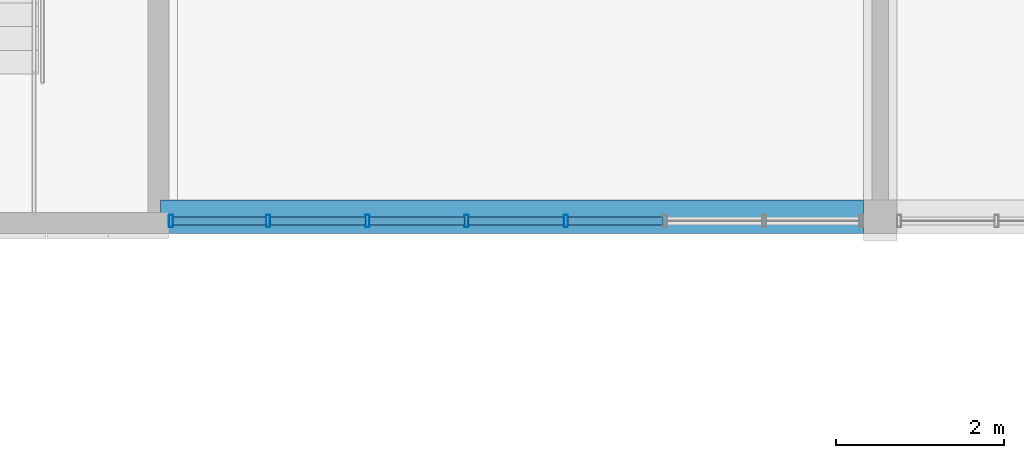
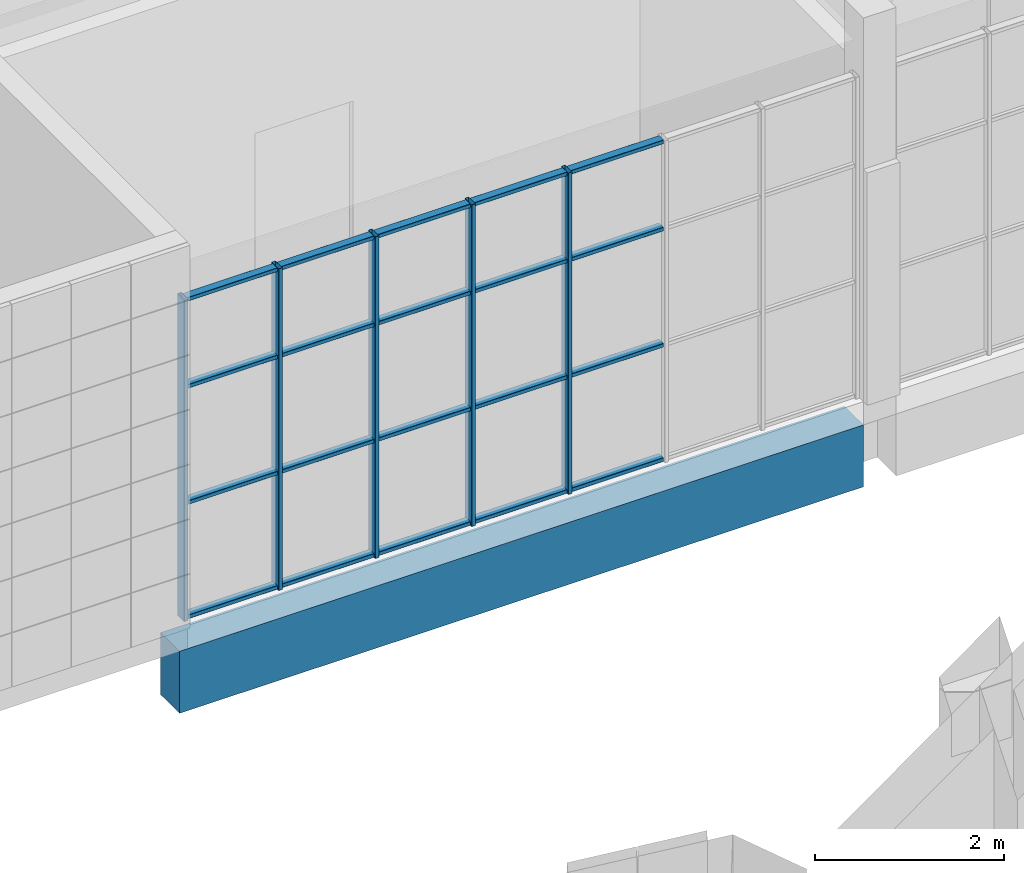
# One storey, part 19 of 125: 25 members, 1 beam, 1 element without a shape of its own.
"""IFC4 building model written with IfcOpenShell, lengths in metres."""

from ifc_helpers import new_model, si_unit, direction, frame, origin, origin_2d, place, context, subcontext, project, spatial, rectangle, hollow_rectangle, extrude, material, material_profile, profile_set, type_object, element, aggregate, save


model = new_model("IFC4")

# Units and contexts
model_context = context("Model", 3, precision=1e-05, world=origin(), true_north=direction((0.0, 1.0)))
body_context = subcontext(model_context, "Body", "Model", "MODEL_VIEW")
ifc_project = project(units=[si_unit("LENGTHUNIT", "METRE"), si_unit("AREAUNIT", "SQUARE_METRE"), si_unit("VOLUMEUNIT", "CUBIC_METRE"), si_unit("PLANEANGLEUNIT", "RADIAN"), si_unit("MASSUNIT", "GRAM", prefix="KILO")], contexts=[model_context])

# Site, building, storey
site_placement = place(None, origin())
site = spatial("IfcSite", under=ifc_project, at=site_placement, CompositionType="ELEMENT")
building_placement = place(site_placement, origin())
building = spatial("IfcBuilding", under=site, at=building_placement, Name="Sun Court Science Centre", CompositionType="ELEMENT")
storey_placement = place(building_placement, frame((0.0, 0.0, 6.0)))
storey = spatial("IfcBuildingStorey", under=building, at=storey_placement, Name="L01", CompositionType="ELEMENT", Elevation=6.0)

# Curtain wall, members
ifc_material_1 = material(Name="Aluminium EN AW-6063 T6", Category="aluminium")
curtain_wall_type = type_object("IfcCurtainWallType", Name="Pavilion curtain wall 1200", PredefinedType="NOTDEFINED", material=ifc_material_1)
curtain_wall_placement = place(storey_placement, origin())
curtain_wall = element("IfcCurtainWall", 1, at=curtain_wall_placement, inside=storey, type_object=curtain_wall_type, Name="Curtain wall V5 S L01 03", PredefinedType="NOTDEFINED")
ifc_material_2 = material(Name="Aluminium EN AW-6063 T6", Category="aluminium")
ifc_material_profile_1 = material_profile(ifc_material_2, hollow_rectangle(XDim=0.050048828125, YDim=0.14990234375, WallThickness=0.00390625, InnerFilletRadius=0.00390625, OuterFilletRadius=0.006103515625, at=origin_2d()), Name="AL 50x150x4")
ifc_profile_set_1 = profile_set([ifc_material_profile_1], Name="Aluminium EN AW-6063 T6")
member_type_1 = type_object("IfcMemberType", Name="Curtain wall mullion AL 50x150", PredefinedType="MULLION", material=ifc_profile_set_1)
member_1_placement = place(storey_placement, frame((42.574951171875, 36.14990234375, 0.0), z_axis=(0.0, 0.0, 1.0), x_axis=(-1.0, 0.0, 0.0)))
member_1 = element("IfcMember", 2, at=member_1_placement, type_object=member_type_1, Name="CW3-07 mullion 8", PredefinedType="MULLION", context=body_context, shape_type="SweptSolid", body=[
    extrude(hollow_rectangle(XDim=0.050048828125, YDim=0.14990234375, WallThickness=0.00390625, InnerFilletRadius=0.00390625, OuterFilletRadius=0.006103515625, at=origin_2d()), origin(), (0.0, 0.0, 1.0), 4.14990234375),
])
member_2_placement = place(storey_placement, frame((43.728515625, 36.14990234375, 0.0), z_axis=(0.0, 0.0, 1.0), x_axis=(-1.0, 0.0, 0.0)))
member_2 = element("IfcMember", 3, at=member_2_placement, type_object=member_type_1, Name="CW3-07 mullion 7", PredefinedType="MULLION", context=body_context, shape_type="SweptSolid", body=[
    extrude(hollow_rectangle(XDim=0.050048828125, YDim=0.14990234375, WallThickness=0.00390625, InnerFilletRadius=0.00390625, OuterFilletRadius=0.006103515625, at=origin_2d()), origin(), (0.0, 0.0, 1.0), 4.14990234375),
])
member_3_placement = place(storey_placement, frame((44.9072265625, 36.14990234375, 0.0), z_axis=(0.0, 0.0, 1.0), x_axis=(-1.0, 0.0, 0.0)))
member_3 = element("IfcMember", 4, at=member_3_placement, type_object=member_type_1, Name="CW3-07 mullion 6", PredefinedType="MULLION", context=body_context, shape_type="SweptSolid", body=[
    extrude(hollow_rectangle(XDim=0.050048828125, YDim=0.14990234375, WallThickness=0.00390625, InnerFilletRadius=0.00390625, OuterFilletRadius=0.006103515625, at=origin_2d()), origin(), (0.0, 0.0, 1.0), 4.14990234375),
])
member_4_placement = place(storey_placement, frame((46.085693359375, 36.14990234375, 0.0), z_axis=(0.0, 0.0, 1.0), x_axis=(-1.0, 0.0, 0.0)))
member_4 = element("IfcMember", 5, at=member_4_placement, type_object=member_type_1, Name="CW3-07 mullion 5", PredefinedType="MULLION", context=body_context, shape_type="SweptSolid", body=[
    extrude(hollow_rectangle(XDim=0.050048828125, YDim=0.14990234375, WallThickness=0.00390625, InnerFilletRadius=0.00390625, OuterFilletRadius=0.006103515625, at=origin_2d()), origin(), (0.0, 0.0, 1.0), 4.14990234375),
])
member_5_placement = place(storey_placement, frame((47.264404296875, 36.14990234375, 0.0), z_axis=(0.0, 0.0, 1.0), x_axis=(-1.0, 0.0, 0.0)))
member_5 = element("IfcMember", 6, at=member_5_placement, type_object=member_type_1, Name="CW3-07 mullion 4", PredefinedType="MULLION", context=body_context, shape_type="SweptSolid", body=[
    extrude(hollow_rectangle(XDim=0.050048828125, YDim=0.14990234375, WallThickness=0.00390625, InnerFilletRadius=0.00390625, OuterFilletRadius=0.006103515625, at=origin_2d()), origin(), (0.0, 0.0, 1.0), 4.14990234375),
])
ifc_material_3 = material(Name="Aluminium EN AW-6063 T6", Category="aluminium")
ifc_material_profile_2 = material_profile(ifc_material_3, hollow_rectangle(XDim=0.050048828125, YDim=0.10009765625, WallThickness=0.00390625, InnerFilletRadius=0.00390625, OuterFilletRadius=0.006103515625, at=origin_2d()), Name="AL 50x100x4")
ifc_profile_set_2 = profile_set([ifc_material_profile_2], Name="Aluminium EN AW-6063 T6")
member_type_2 = type_object("IfcMemberType", Name="Curtain wall transom AL 50x100", PredefinedType="USERDEFINED", material=ifc_profile_set_2)
member_6_placement = place(storey_placement, frame((43.70361328125, 36.14990234375, 0.02490234375), z_axis=(-1.0, 0.0, 0.0), x_axis=(0.0, 0.0, 1.0)))
member_6 = element("IfcMember", 7, at=member_6_placement, type_object=member_type_2, Name="CW3-07 transom 7.1", ObjectType="TRANSOM", PredefinedType="USERDEFINED", context=body_context, shape_type="SweptSolid", body=[
    extrude(hollow_rectangle(XDim=0.050048828125, YDim=0.10009765625, WallThickness=0.00390625, InnerFilletRadius=0.00390625, OuterFilletRadius=0.006103515625, at=origin_2d()), origin(), (0.0, 0.0, 1.0), 1.103515625),
])
member_7_placement = place(storey_placement, frame((44.882080078125, 36.14990234375, 0.02490234375), z_axis=(-1.0, 0.0, 0.0), x_axis=(0.0, 0.0, 1.0)))
member_7 = element("IfcMember", 8, at=member_7_placement, type_object=member_type_2, Name="CW3-07 transom 6.1", ObjectType="TRANSOM", PredefinedType="USERDEFINED", context=body_context, shape_type="SweptSolid", body=[
    extrude(hollow_rectangle(XDim=0.050048828125, YDim=0.10009765625, WallThickness=0.00390625, InnerFilletRadius=0.00390625, OuterFilletRadius=0.006103515625, at=origin_2d()), origin(), (0.0, 0.0, 1.0), 1.12841796875),
])
member_8_placement = place(storey_placement, frame((46.060791015625, 36.14990234375, 0.02490234375), z_axis=(-1.0, 0.0, 0.0), x_axis=(0.0, 0.0, 1.0)))
member_8 = element("IfcMember", 9, at=member_8_placement, type_object=member_type_2, Name="CW3-07 transom 5.1", ObjectType="TRANSOM", PredefinedType="USERDEFINED", context=body_context, shape_type="SweptSolid", body=[
    extrude(hollow_rectangle(XDim=0.050048828125, YDim=0.10009765625, WallThickness=0.00390625, InnerFilletRadius=0.00390625, OuterFilletRadius=0.006103515625, at=origin_2d()), origin(), (0.0, 0.0, 1.0), 1.128662109375),
])
member_9_placement = place(storey_placement, frame((47.2392578125, 36.14990234375, 0.02490234375), z_axis=(-1.0, 0.0, 0.0), x_axis=(0.0, 0.0, 1.0)))
member_9 = element("IfcMember", 10, at=member_9_placement, type_object=member_type_2, Name="CW3-07 transom 4.1", ObjectType="TRANSOM", PredefinedType="USERDEFINED", context=body_context, shape_type="SweptSolid", body=[
    extrude(hollow_rectangle(XDim=0.050048828125, YDim=0.10009765625, WallThickness=0.00390625, InnerFilletRadius=0.00390625, OuterFilletRadius=0.006103515625, at=origin_2d()), origin(), (0.0, 0.0, 1.0), 1.128662109375),
])
member_10_placement = place(storey_placement, frame((48.41796875, 36.14990234375, 0.02490234375), z_axis=(-1.0, 0.0, 0.0), x_axis=(0.0, 0.0, 1.0)))
member_10 = element("IfcMember", 11, at=member_10_placement, type_object=member_type_2, Name="CW3-07 transom 3.1", ObjectType="TRANSOM", PredefinedType="USERDEFINED", context=body_context, shape_type="SweptSolid", body=[
    extrude(hollow_rectangle(XDim=0.050048828125, YDim=0.10009765625, WallThickness=0.00390625, InnerFilletRadius=0.00390625, OuterFilletRadius=0.006103515625, at=origin_2d()), origin(), (0.0, 0.0, 1.0), 1.128662109375),
])
member_11_placement = place(storey_placement, frame((43.70361328125, 36.14990234375, 1.5), z_axis=(-1.0, 0.0, 0.0), x_axis=(0.0, 0.0, 1.0)))
member_11 = element("IfcMember", 12, at=member_11_placement, type_object=member_type_2, Name="CW3-07 transom 7.2", ObjectType="TRANSOM", PredefinedType="USERDEFINED", context=body_context, shape_type="SweptSolid", body=[
    extrude(hollow_rectangle(XDim=0.050048828125, YDim=0.10009765625, WallThickness=0.00390625, InnerFilletRadius=0.00390625, OuterFilletRadius=0.006103515625, at=origin_2d()), origin(), (0.0, 0.0, 1.0), 1.103515625),
])
member_12_placement = place(storey_placement, frame((44.882080078125, 36.14990234375, 1.5), z_axis=(-1.0, 0.0, 0.0), x_axis=(0.0, 0.0, 1.0)))
member_12 = element("IfcMember", 13, at=member_12_placement, type_object=member_type_2, Name="CW3-07 transom 6.2", ObjectType="TRANSOM", PredefinedType="USERDEFINED", context=body_context, shape_type="SweptSolid", body=[
    extrude(hollow_rectangle(XDim=0.050048828125, YDim=0.10009765625, WallThickness=0.00390625, InnerFilletRadius=0.00390625, OuterFilletRadius=0.006103515625, at=origin_2d()), origin(), (0.0, 0.0, 1.0), 1.12841796875),
])
member_13_placement = place(storey_placement, frame((46.060791015625, 36.14990234375, 1.5), z_axis=(-1.0, 0.0, 0.0), x_axis=(0.0, 0.0, 1.0)))
member_13 = element("IfcMember", 14, at=member_13_placement, type_object=member_type_2, Name="CW3-07 transom 5.2", ObjectType="TRANSOM", PredefinedType="USERDEFINED", context=body_context, shape_type="SweptSolid", body=[
    extrude(hollow_rectangle(XDim=0.050048828125, YDim=0.10009765625, WallThickness=0.00390625, InnerFilletRadius=0.00390625, OuterFilletRadius=0.006103515625, at=origin_2d()), origin(), (0.0, 0.0, 1.0), 1.128662109375),
])
member_14_placement = place(storey_placement, frame((47.2392578125, 36.14990234375, 1.5), z_axis=(-1.0, 0.0, 0.0), x_axis=(0.0, 0.0, 1.0)))
member_14 = element("IfcMember", 15, at=member_14_placement, type_object=member_type_2, Name="CW3-07 transom 4.2", ObjectType="TRANSOM", PredefinedType="USERDEFINED", context=body_context, shape_type="SweptSolid", body=[
    extrude(hollow_rectangle(XDim=0.050048828125, YDim=0.10009765625, WallThickness=0.00390625, InnerFilletRadius=0.00390625, OuterFilletRadius=0.006103515625, at=origin_2d()), origin(), (0.0, 0.0, 1.0), 1.128662109375),
])
member_15_placement = place(storey_placement, frame((48.41796875, 36.14990234375, 1.5), z_axis=(-1.0, 0.0, 0.0), x_axis=(0.0, 0.0, 1.0)))
member_15 = element("IfcMember", 16, at=member_15_placement, type_object=member_type_2, Name="CW3-07 transom 3.2", ObjectType="TRANSOM", PredefinedType="USERDEFINED", context=body_context, shape_type="SweptSolid", body=[
    extrude(hollow_rectangle(XDim=0.050048828125, YDim=0.10009765625, WallThickness=0.00390625, InnerFilletRadius=0.00390625, OuterFilletRadius=0.006103515625, at=origin_2d()), origin(), (0.0, 0.0, 1.0), 1.128662109375),
])
member_16_placement = place(storey_placement, frame((43.70361328125, 36.14990234375, 3.0), z_axis=(-1.0, 0.0, 0.0), x_axis=(0.0, 0.0, 1.0)))
member_16 = element("IfcMember", 17, at=member_16_placement, type_object=member_type_2, Name="CW3-07 transom 7.3", ObjectType="TRANSOM", PredefinedType="USERDEFINED", context=body_context, shape_type="SweptSolid", body=[
    extrude(hollow_rectangle(XDim=0.050048828125, YDim=0.10009765625, WallThickness=0.00390625, InnerFilletRadius=0.00390625, OuterFilletRadius=0.006103515625, at=origin_2d()), origin(), (0.0, 0.0, 1.0), 1.103515625),
])
member_17_placement = place(storey_placement, frame((44.882080078125, 36.14990234375, 3.0), z_axis=(-1.0, 0.0, 0.0), x_axis=(0.0, 0.0, 1.0)))
member_17 = element("IfcMember", 18, at=member_17_placement, type_object=member_type_2, Name="CW3-07 transom 6.3", ObjectType="TRANSOM", PredefinedType="USERDEFINED", context=body_context, shape_type="SweptSolid", body=[
    extrude(hollow_rectangle(XDim=0.050048828125, YDim=0.10009765625, WallThickness=0.00390625, InnerFilletRadius=0.00390625, OuterFilletRadius=0.006103515625, at=origin_2d()), origin(), (0.0, 0.0, 1.0), 1.12841796875),
])
member_18_placement = place(storey_placement, frame((46.060791015625, 36.14990234375, 3.0), z_axis=(-1.0, 0.0, 0.0), x_axis=(0.0, 0.0, 1.0)))
member_18 = element("IfcMember", 19, at=member_18_placement, type_object=member_type_2, Name="CW3-07 transom 5.3", ObjectType="TRANSOM", PredefinedType="USERDEFINED", context=body_context, shape_type="SweptSolid", body=[
    extrude(hollow_rectangle(XDim=0.050048828125, YDim=0.10009765625, WallThickness=0.00390625, InnerFilletRadius=0.00390625, OuterFilletRadius=0.006103515625, at=origin_2d()), origin(), (0.0, 0.0, 1.0), 1.128662109375),
])
member_19_placement = place(storey_placement, frame((47.2392578125, 36.14990234375, 3.0), z_axis=(-1.0, 0.0, 0.0), x_axis=(0.0, 0.0, 1.0)))
member_19 = element("IfcMember", 20, at=member_19_placement, type_object=member_type_2, Name="CW3-07 transom 4.3", ObjectType="TRANSOM", PredefinedType="USERDEFINED", context=body_context, shape_type="SweptSolid", body=[
    extrude(hollow_rectangle(XDim=0.050048828125, YDim=0.10009765625, WallThickness=0.00390625, InnerFilletRadius=0.00390625, OuterFilletRadius=0.006103515625, at=origin_2d()), origin(), (0.0, 0.0, 1.0), 1.128662109375),
])
member_20_placement = place(storey_placement, frame((48.41796875, 36.14990234375, 3.0), z_axis=(-1.0, 0.0, 0.0), x_axis=(0.0, 0.0, 1.0)))
member_20 = element("IfcMember", 21, at=member_20_placement, type_object=member_type_2, Name="CW3-07 transom 3.3", ObjectType="TRANSOM", PredefinedType="USERDEFINED", context=body_context, shape_type="SweptSolid", body=[
    extrude(hollow_rectangle(XDim=0.050048828125, YDim=0.10009765625, WallThickness=0.00390625, InnerFilletRadius=0.00390625, OuterFilletRadius=0.006103515625, at=origin_2d()), origin(), (0.0, 0.0, 1.0), 1.128662109375),
])
member_21_placement = place(storey_placement, frame((43.70361328125, 36.14990234375, 4.125), z_axis=(-1.0, 0.0, 0.0), x_axis=(0.0, 0.0, 1.0)))
member_21 = element("IfcMember", 22, at=member_21_placement, type_object=member_type_2, Name="CW3-07 transom 7.4", ObjectType="TRANSOM", PredefinedType="USERDEFINED", context=body_context, shape_type="SweptSolid", body=[
    extrude(hollow_rectangle(XDim=0.050048828125, YDim=0.10009765625, WallThickness=0.00390625, InnerFilletRadius=0.00390625, OuterFilletRadius=0.006103515625, at=origin_2d()), origin(), (0.0, 0.0, 1.0), 1.103515625),
])
member_22_placement = place(storey_placement, frame((44.882080078125, 36.14990234375, 4.125), z_axis=(-1.0, 0.0, 0.0), x_axis=(0.0, 0.0, 1.0)))
member_22 = element("IfcMember", 23, at=member_22_placement, type_object=member_type_2, Name="CW3-07 transom 6.4", ObjectType="TRANSOM", PredefinedType="USERDEFINED", context=body_context, shape_type="SweptSolid", body=[
    extrude(hollow_rectangle(XDim=0.050048828125, YDim=0.10009765625, WallThickness=0.00390625, InnerFilletRadius=0.00390625, OuterFilletRadius=0.006103515625, at=origin_2d()), origin(), (0.0, 0.0, 1.0), 1.12841796875),
])
member_23_placement = place(storey_placement, frame((46.060791015625, 36.14990234375, 4.125), z_axis=(-1.0, 0.0, 0.0), x_axis=(0.0, 0.0, 1.0)))
member_23 = element("IfcMember", 24, at=member_23_placement, type_object=member_type_2, Name="CW3-07 transom 5.4", ObjectType="TRANSOM", PredefinedType="USERDEFINED", context=body_context, shape_type="SweptSolid", body=[
    extrude(hollow_rectangle(XDim=0.050048828125, YDim=0.10009765625, WallThickness=0.00390625, InnerFilletRadius=0.00390625, OuterFilletRadius=0.006103515625, at=origin_2d()), origin(), (0.0, 0.0, 1.0), 1.128662109375),
])
member_24_placement = place(storey_placement, frame((47.2392578125, 36.14990234375, 4.125), z_axis=(-1.0, 0.0, 0.0), x_axis=(0.0, 0.0, 1.0)))
member_24 = element("IfcMember", 25, at=member_24_placement, type_object=member_type_2, Name="CW3-07 transom 4.4", ObjectType="TRANSOM", PredefinedType="USERDEFINED", context=body_context, shape_type="SweptSolid", body=[
    extrude(hollow_rectangle(XDim=0.050048828125, YDim=0.10009765625, WallThickness=0.00390625, InnerFilletRadius=0.00390625, OuterFilletRadius=0.006103515625, at=origin_2d()), origin(), (0.0, 0.0, 1.0), 1.128662109375),
])
member_25_placement = place(storey_placement, frame((48.41796875, 36.14990234375, 4.125), z_axis=(-1.0, 0.0, 0.0), x_axis=(0.0, 0.0, 1.0)))
member_25 = element("IfcMember", 26, at=member_25_placement, type_object=member_type_2, Name="CW3-07 transom 3.4", ObjectType="TRANSOM", PredefinedType="USERDEFINED", context=body_context, shape_type="SweptSolid", body=[
    extrude(hollow_rectangle(XDim=0.050048828125, YDim=0.10009765625, WallThickness=0.00390625, InnerFilletRadius=0.00390625, OuterFilletRadius=0.006103515625, at=origin_2d()), origin(), (0.0, 0.0, 1.0), 1.128662109375),
])
aggregate(curtain_wall, [member_1, member_2, member_3, member_4, member_5, member_6, member_7, member_8, member_9, member_10, member_11, member_12, member_13, member_14, member_15, member_16, member_17, member_18, member_19, member_20, member_21, member_22, member_23, member_24, member_25])

# Beam
ifc_material_4 = material(Name="Concrete C25/30", Category="concrete")
ifc_material_profile_3 = material_profile(ifc_material_4, rectangle(XDim=0.39990234375, YDim=0.800048828125, at=origin_2d()), Name="RC 400x800")
ifc_profile_set_3 = profile_set([ifc_material_profile_3], Name="Concrete C25/30")
beam_type = type_object("IfcBeamType", Name="RC girder 400x800", PredefinedType="BEAM", material=ifc_profile_set_3)
beam_placement = place(storey_placement, frame((42.449951171875, 36.199951171875, -0.699951171875), z_axis=(1.0, 0.0, 0.0), x_axis=(0.0, 1.0, 0.0)))
element("IfcBeam", 27, at=beam_placement, inside=storey, type_object=beam_type, Name="Girder L01 row 1", PredefinedType="BEAM", context=body_context, shape_type="SweptSolid", body=[
    extrude(rectangle(XDim=0.39990234375, YDim=0.800048828125, at=origin_2d()), origin(), (0.0, 0.0, 1.0), 8.35009765625),
])

save(model, "model.ifc")
